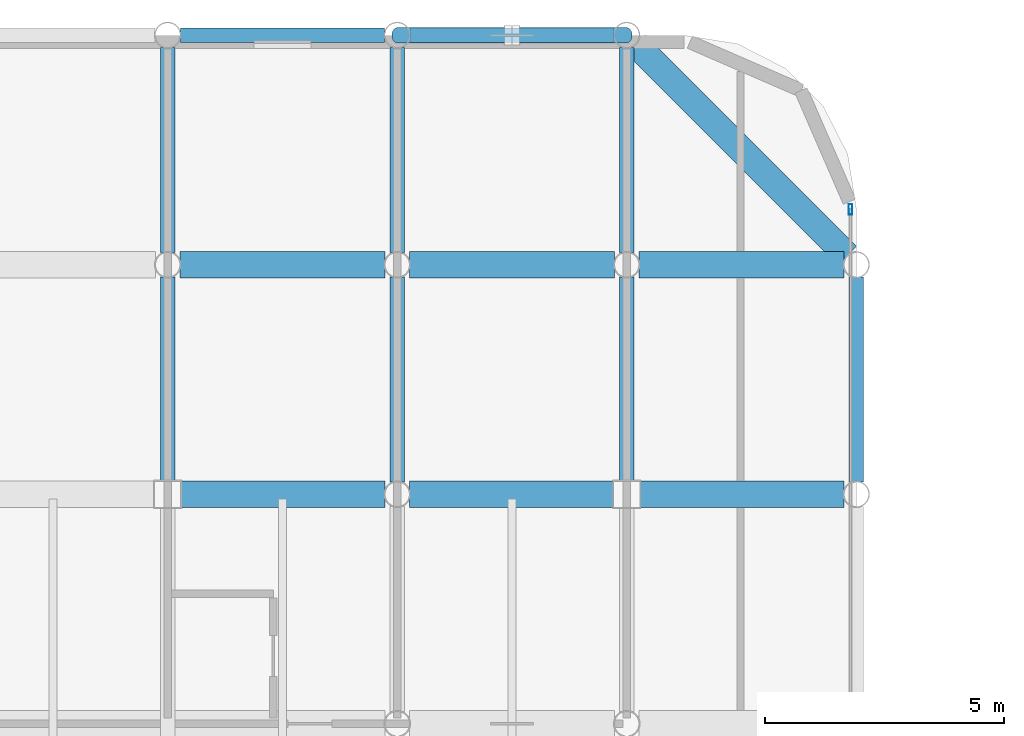
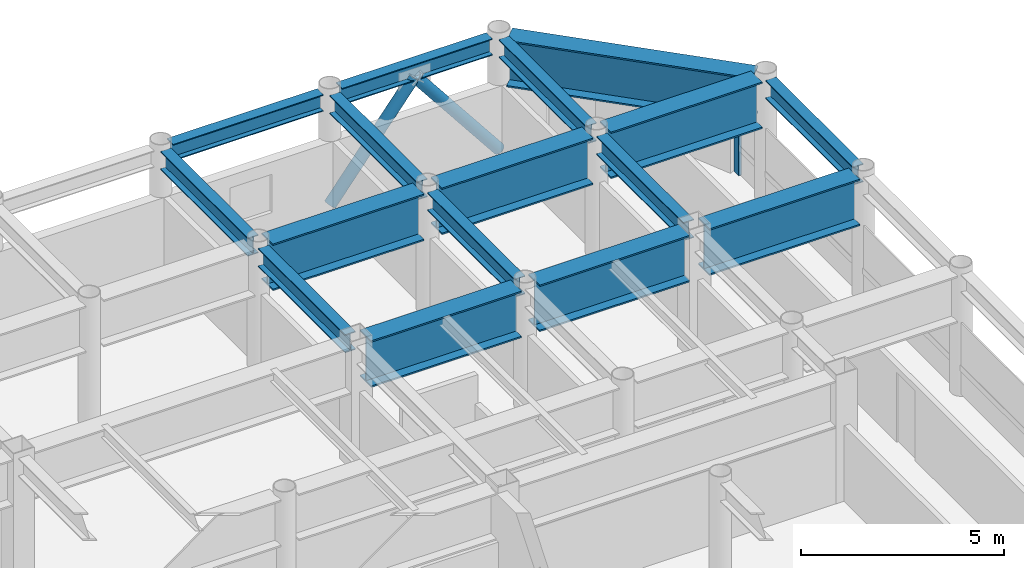
# One storey, part 16 of 25: 16 beams, 3 members, 1 element without a shape of its own.
"""IFC4 building model written with IfcOpenShell, lengths in metres."""

from ifc_helpers import new_model, si_unit, direction, frame, origin, origin_2d, place, context, subcontext, project, spatial, hollow_rectangle, hollow_circle, i_section, extrude, material, layer, layer_set, material_profile, profile_set, type_object, element, aggregate, save


model = new_model("IFC4")

# Units and contexts
model_context = context("Model", 3, precision=1e-05, world=origin(), true_north=direction((0.0, 1.0)))
body_context = subcontext(model_context, "Body", "Model", "MODEL_VIEW")
ifc_project = project(units=[si_unit("LENGTHUNIT", "METRE"), si_unit("AREAUNIT", "SQUARE_METRE"), si_unit("VOLUMEUNIT", "CUBIC_METRE"), si_unit("PLANEANGLEUNIT", "RADIAN"), si_unit("MASSUNIT", "GRAM", prefix="KILO")], contexts=[model_context])

# Site, building, storey
site_placement = place(None, origin())
site = spatial("IfcSite", under=ifc_project, at=site_placement, CompositionType="ELEMENT")
building_placement = place(site_placement, origin())
building = spatial("IfcBuilding", under=site, at=building_placement, Name="Kallvorn Hotel Tower", CompositionType="ELEMENT")
storey_placement = place(building_placement, frame((0.0, 0.0, 249.25)))
storey = spatial("IfcBuildingStorey", under=building, at=storey_placement, Name="L62", CompositionType="ELEMENT", Elevation=249.25)

# Beams
ifc_material_1 = material(Name="Structural steel S355JR", Category="steel")
ifc_material_profile_1 = material_profile(ifc_material_1, i_section(OverallWidth=0.300048828125, OverallDepth=0.5, WebThickness=0.014404296875, FlangeThickness=0.028076171875, at=origin_2d()), Name="HE 500 B")
ifc_profile_set_1 = profile_set([ifc_material_profile_1], Name="Structural steel S355JR")
beam_type_1 = type_object("IfcBeamType", Name="BM_HE500B", PredefinedType="SPANDREL", material=ifc_profile_set_1)
for number, where, z_axis, x_axis, name in (
    (1, (14.66943359375, 24.0, 3.419921875), (1.0, 0.0, 0.0), (0.0, 1.0, 0.0), "L63 Perimeter Spandrel 172"),
    (2, (19.469482421875, 24.0, 3.419921875), (1.0, 0.0, 0.0), (0.0, 1.0, 0.0), "L63 Perimeter Spandrel 173"),
):
    element("IfcBeam", number, at=place(storey_placement, frame(where, z_axis=z_axis, x_axis=x_axis)), inside=storey, type_object=beam_type_1, Name=name, PredefinedType="SPANDREL", context=body_context, shape_type="SweptSolid", body=[
        extrude(i_section(OverallWidth=0.300048828125, OverallDepth=0.5, WebThickness=0.014404296875, FlangeThickness=0.028076171875, at=origin_2d()), origin(), (0.0, 0.0, 1.0), 4.260986328125),
    ])
ifc_material_2 = material(Name="Structural steel S355JR", Category="steel")
ifc_material_profile_2 = material_profile(ifc_material_2, i_section(OverallWidth=0.300048828125, OverallDepth=0.550048828125, WebThickness=0.014892578125, FlangeThickness=0.029052734375, at=origin_2d()), Name="HE 550 B")
ifc_profile_set_2 = profile_set([ifc_material_profile_2], Name="Structural steel S355JR")
beam_type_2 = type_object("IfcBeamType", Name="BM_HE550B", PredefinedType="SPANDREL", material=ifc_profile_set_2)
beam_1_placement = place(storey_placement, frame((14.39990234375, 14.675048828125, 3.39501953125), z_axis=(0.0, 1.0, 0.0), x_axis=(-1.0, 0.0, 0.0)))
element("IfcBeam", 3, at=beam_1_placement, inside=storey, type_object=beam_type_2, Name="L63 Primary Y-Girder 125", PredefinedType="SPANDREL", context=body_context, shape_type="SweptSolid", body=[
    extrude(i_section(OverallWidth=0.300048828125, OverallDepth=0.550048828125, WebThickness=0.014892578125, FlangeThickness=0.029052734375, at=origin_2d()), origin(), (0.0, 0.0, 1.0), 4.2705078125),
])
for number, where, z_axis, x_axis, name in (
    (4, (14.39990234375, 19.45458984375, 3.39501953125), (0.0, 1.0, 0.0), (-1.0, 0.0, 0.0), "L63 Primary Y-Girder 126"),
    (5, (19.199951171875, 14.654541015625, 3.39501953125), (0.0, 1.0, 0.0), (-1.0, 0.0, 0.0), "L63 Primary Y-Girder 134"),
    (6, (19.199951171875, 19.45458984375, 3.39501953125), (0.0, 1.0, 0.0), (-1.0, 0.0, 0.0), "L63 Primary Y-Girder 135"),
):
    element("IfcBeam", number, at=place(storey_placement, frame(where, z_axis=z_axis, x_axis=x_axis)), inside=storey, type_object=beam_type_2, Name=name, PredefinedType="SPANDREL", context=body_context, shape_type="SweptSolid", body=[
        extrude(i_section(OverallWidth=0.300048828125, OverallDepth=0.550048828125, WebThickness=0.014892578125, FlangeThickness=0.029052734375, at=origin_2d()), origin(), (0.0, 0.0, 1.0), 4.291015625),
    ])
beam_2_placement = place(storey_placement, frame((24.0, 14.675048828125, 3.39501953125), z_axis=(0.0, 1.0, 0.0), x_axis=(-1.0, 0.0, 0.0)))
element("IfcBeam", 7, at=beam_2_placement, inside=storey, type_object=beam_type_2, Name="L63 Primary Y-Girder 141", PredefinedType="SPANDREL", context=body_context, shape_type="SweptSolid", body=[
    extrude(i_section(OverallWidth=0.300048828125, OverallDepth=0.550048828125, WebThickness=0.014892578125, FlangeThickness=0.029052734375, at=origin_2d()), origin(), (0.0, 0.0, 1.0), 4.2705078125),
])
for number, where, z_axis, x_axis, name in (
    (8, (24.0, 19.45458984375, 3.39501953125), (0.0, 1.0, 0.0), (-1.0, 0.0, 0.0), "L63 Primary Y-Girder 142"),
    (9, (28.800048828125, 14.654541015625, 3.39501953125), (0.0, 1.0, 0.0), (-1.0, 0.0, 0.0), "L63 Primary Y-Girder 150"),
):
    element("IfcBeam", number, at=place(storey_placement, frame(where, z_axis=z_axis, x_axis=x_axis)), inside=storey, type_object=beam_type_2, Name=name, PredefinedType="SPANDREL", context=body_context, shape_type="SweptSolid", body=[
        extrude(i_section(OverallWidth=0.300048828125, OverallDepth=0.550048828125, WebThickness=0.014892578125, FlangeThickness=0.029052734375, at=origin_2d()), origin(), (0.0, 0.0, 1.0), 4.291015625),
    ])
ifc_material_3 = material(Name="Structural steel S355JR", Category="steel")
ifc_material_profile_3 = material_profile(ifc_material_3, i_section(OverallWidth=0.550048828125, OverallDepth=1.39990234375, WebThickness=0.02490234375, FlangeThickness=0.044921875, at=origin_2d()), Name="PG 1400x550x25x45")
ifc_profile_set_3 = profile_set([ifc_material_profile_3], Name="Structural steel S355JR")
beam_type_3 = type_object("IfcBeamType", Name="BM_PG_1400", PredefinedType="BEAM", material=ifc_profile_set_3)
for number, where, z_axis, x_axis, name in (
    (10, (14.675048828125, 14.39990234375, 2.969970703125), (1.0, 0.0, 0.0), (0.0, 1.0, 0.0), "L63 Primary X-Girder 57"),
    (11, (19.45458984375, 14.39990234375, 2.969970703125), (1.0, 0.0, 0.0), (0.0, 1.0, 0.0), "L63 Primary X-Girder 58"),
    (12, (24.27490234375, 14.39990234375, 2.969970703125), (1.0, 0.0, 0.0), (0.0, 1.0, 0.0), "L63 Primary X-Girder 59"),
):
    element("IfcBeam", number, at=place(storey_placement, frame(where, z_axis=z_axis, x_axis=x_axis)), inside=storey, type_object=beam_type_3, Name=name, PredefinedType="BEAM", context=body_context, shape_type="SweptSolid", body=[
        extrude(i_section(OverallWidth=0.550048828125, OverallDepth=1.39990234375, WebThickness=0.02490234375, FlangeThickness=0.044921875, at=origin_2d()), origin(), (0.0, 0.0, 1.0), 4.2705078125),
    ])
for number, where, z_axis, x_axis, name in (
    (13, (14.654541015625, 19.199951171875, 2.969970703125), (1.0, 0.0, 0.0), (0.0, 1.0, 0.0), "L63 Primary X-Girder 70"),
    (14, (19.45458984375, 19.199951171875, 2.969970703125), (1.0, 0.0, 0.0), (0.0, 1.0, 0.0), "L63 Primary X-Girder 71"),
    (15, (24.25439453125, 19.199951171875, 2.969970703125), (1.0, 0.0, 0.0), (0.0, 1.0, 0.0), "L63 Primary X-Girder 72"),
):
    element("IfcBeam", number, at=place(storey_placement, frame(where, z_axis=z_axis, x_axis=x_axis)), inside=storey, type_object=beam_type_3, Name=name, PredefinedType="BEAM", context=body_context, shape_type="SweptSolid", body=[
        extrude(i_section(OverallWidth=0.550048828125, OverallDepth=1.39990234375, WebThickness=0.02490234375, FlangeThickness=0.044921875, at=origin_2d()), origin(), (0.0, 0.0, 1.0), 4.291015625),
    ])
beam_3_placement = place(storey_placement, frame((28.609375, 19.390625, 2.969970703125), z_axis=(-0.707106781187, 0.707106781187, 0.0), x_axis=(-0.707106781187, -0.707106781187, 0.0)))
element("IfcBeam", 16, at=beam_3_placement, inside=storey, type_object=beam_type_3, Name="L63 Rounded Corner Tie Beam 191", PredefinedType="BEAM", context=body_context, shape_type="SweptSolid", body=[
    extrude(i_section(OverallWidth=0.550048828125, OverallDepth=1.39990234375, WebThickness=0.02490234375, FlangeThickness=0.044921875, at=origin_2d()), origin(), (0.0, 0.0, 1.0), 6.2490234375),
])

# Curtain wall, member
ifc_material_4 = material(Name="Thermally broken black-anodised aluminium AA 6063-T6", Category="aluminium")
ifc_layer = layer(ifc_material_4, 0.22998046875)
ifc_layer_set = layer_set([ifc_layer], Name="CW_SYS_5_HOTEL_HIGH")
curtain_wall_type = type_object("IfcCurtainWallType", Name="CW_SYS_5_HOTEL_HIGH", PredefinedType="USERDEFINED", material=ifc_layer_set)
curtain_wall_placement = place(storey_placement, origin())
curtain_wall = element("IfcCurtainWall", 17, at=curtain_wall_placement, inside=storey, type_object=curtain_wall_type, Name="L62 Dark-Glass Curtain Wall CW-L62-EN", ObjectType="UNITISED CURTAIN WALL", PredefinedType="USERDEFINED")
ifc_material_5 = material(Name="Thermally broken black-anodised aluminium AA 6063-T6", Category="aluminium")
ifc_material_profile_4 = material_profile(ifc_material_5, hollow_rectangle(XDim=0.080078125, YDim=0.219970703125, WallThickness=0.0048828125, at=origin_2d()), Name="MUL 220x80")
ifc_profile_set_4 = profile_set([ifc_material_profile_4], Name="Thermally broken black-anodised aluminium AA 6063-T6")
member_type_1 = type_object("IfcMemberType", Name="CW_MULLION_220x80", PredefinedType="MULLION", material=ifc_profile_set_4)
member_placement = place(storey_placement, frame((28.679931640625, 20.360107421875, 0.02001953125), z_axis=(0.0, 0.0, 1.0), x_axis=(1.0, 0.0, 0.0)))
member = element("IfcMember", 18, at=member_placement, type_object=member_type_1, Name="CW-L62-EN Mullion 01", PredefinedType="MULLION", context=body_context, shape_type="SweptSolid", body=[
    extrude(hollow_rectangle(XDim=0.080078125, YDim=0.219970703125, WallThickness=0.0048828125, at=origin_2d()), origin(), (0.0, 0.0, 1.0), 2.22998046875),
])
aggregate(curtain_wall, [member])

# Members
ifc_material_6 = material(Name="Structural steel S355J2H", Category="steel")
ifc_material_profile_5 = material_profile(ifc_material_6, hollow_circle(Radius=0.161865234375, WallThickness=0.012451171875, at=origin_2d()), Name="CHS 323.9x12.5")
ifc_profile_set_5 = profile_set([ifc_material_profile_5], Name="Structural steel S355J2H")
member_type_2 = type_object("IfcMemberType", Name="MBR_EXO_CHS323", PredefinedType="BRACE", material=ifc_profile_set_5)
for number, where, z_axis, x_axis, name in (
    (19, (19.21240234375, 24.0, 0.19580078125), (0.620928510901, 0.0, 0.783867198159), (0.0, 1.0, 0.0), "L62 Exoskeleton K-Brace N2A"),
    (20, (23.987548828125, 24.0, 0.19580078125), (-0.620928510901, 0.0, 0.783867198159), (0.0, -1.0, 0.0), "L62 Exoskeleton K-Brace N2B"),
):
    element("IfcMember", number, at=place(storey_placement, frame(where, z_axis=z_axis, x_axis=x_axis)), inside=storey, type_object=member_type_2, Name=name, PredefinedType="BRACE", context=body_context, shape_type="SweptSolid", body=[
        extrude(hollow_circle(Radius=0.161865234375, WallThickness=0.012451171875, at=origin_2d()), origin(), (0.0, 0.0, 1.0), 3.8251953125),
    ])

save(model, "model.ifc")
